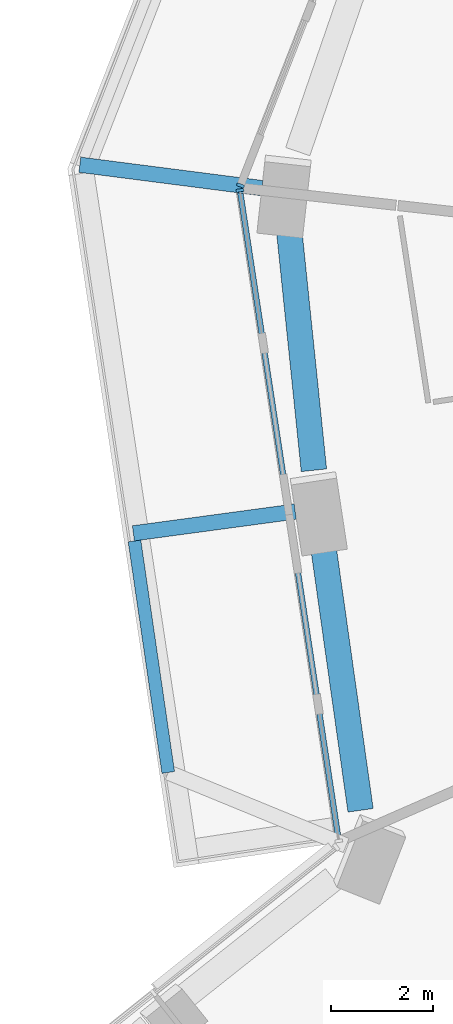
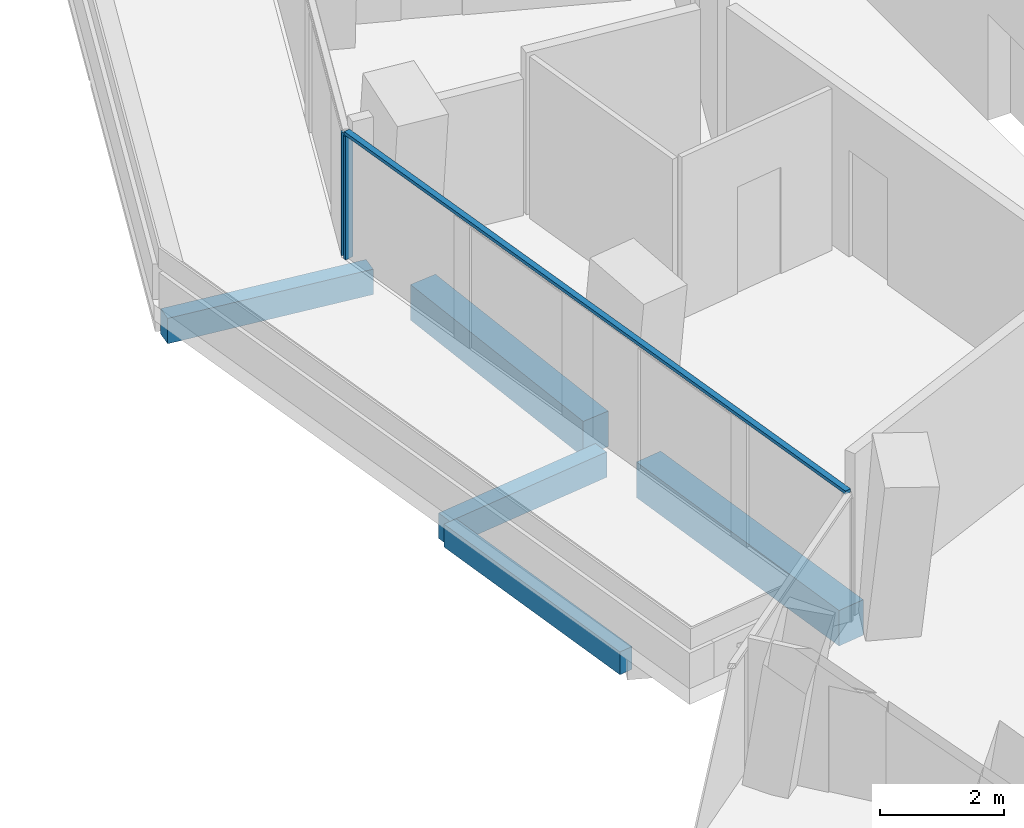
# One storey, part 4 of 28: 5 beams, 3 members, 2 elements without a shape of their own.
"""IFC4 building model written with IfcOpenShell, lengths in metres."""

from ifc_helpers import new_model, si_unit, direction, frame, origin, origin_2d, place, context, subcontext, project, spatial, rectangle, extrude, material, layer, layer_set, material_profile, profile_set, type_object, element, aggregate, save


model = new_model("IFC4")

# Units and contexts
model_context = context("Model", 3, precision=1e-05, world=origin(), true_north=direction((0.0, 1.0)))
body_context = subcontext(model_context, "Body", "Model", "MODEL_VIEW")
ifc_project = project(units=[si_unit("LENGTHUNIT", "METRE"), si_unit("AREAUNIT", "SQUARE_METRE"), si_unit("VOLUMEUNIT", "CUBIC_METRE"), si_unit("PLANEANGLEUNIT", "RADIAN"), si_unit("MASSUNIT", "GRAM", prefix="KILO")], contexts=[model_context])

# Site, building, storey
site_placement = place(None, origin())
site = spatial("IfcSite", under=ifc_project, at=site_placement, CompositionType="ELEMENT")
building_placement = place(site_placement, origin())
building = spatial("IfcBuilding", under=site, at=building_placement, Name="Verdalira Terraces Hotel", CompositionType="ELEMENT")
storey_placement = place(building_placement, frame((0.0, 0.0, 68.0)))
storey = spatial("IfcBuildingStorey", under=building, at=storey_placement, Name="L15", CompositionType="ELEMENT", Elevation=68.0)

# Beams
ifc_material_1 = material(Name="Concrete C40", Category="concrete")
ifc_material_profile_1 = material_profile(ifc_material_1, rectangle(XDim=0.300049, YDim=0.5, at=origin_2d()), Name="RC 300X500")
ifc_profile_set_1 = profile_set([ifc_material_profile_1], Name="Concrete C40")
beam_type_1 = type_object("IfcBeamType", Name="Balcony cantilever beam RC 300X500 C40", PredefinedType="BEAM", material=ifc_profile_set_1)
beam_1_placement = place(storey_placement, frame((-23.791504, -3.572021, -0.560059), z_axis=(-0.991029602, -0.133642539, 0.0), x_axis=(0.133642539, -0.991029602, 0.0)))
element("IfcBeam", 1, at=beam_1_placement, inside=storey, type_object=beam_type_1, Name="Balcony cantilever beam R12-1", PredefinedType="BEAM", context=body_context, shape_type="SweptSolid", body=[
    extrude(rectangle(XDim=0.300049, YDim=0.5, at=origin_2d()), origin(), (0.0, 0.0, 1.0), 3.200684),
])
beam_2_placement = place(storey_placement, frame((-24.44458, 2.768311, -0.560059), z_axis=(-0.991847174, 0.127433057, 0.0), x_axis=(-0.127433057, -0.991847174, 0.0)))
element("IfcBeam", 2, at=beam_2_placement, inside=storey, type_object=beam_type_1, Name="Balcony cantilever beam R12-5", PredefinedType="BEAM", context=body_context, shape_type="SweptSolid", body=[
    extrude(rectangle(XDim=0.300049, YDim=0.5, at=origin_2d()), origin(), (0.0, 0.0, 1.0), 3.5979),
])
ifc_material_2 = material(Name="Concrete C40", Category="concrete")
ifc_material_profile_2 = material_profile(ifc_material_2, rectangle(XDim=0.25, YDim=0.449951, at=origin_2d()), Name="RC 250X450")
ifc_profile_set_2 = profile_set([ifc_material_profile_2], Name="Concrete C40")
beam_type_2 = type_object("IfcBeamType", Name="Balcony edge beam RC 250X450 C40", PredefinedType="BEAM", material=ifc_profile_set_2)
beam_3_placement = place(storey_placement, frame((-26.941895, -4.148193, -0.534912), z_axis=(0.144297121, -0.989534406, 0.0), x_axis=(0.989534406, 0.144297121, 0.0)))
element("IfcBeam", 3, at=beam_3_placement, inside=storey, type_object=beam_type_2, Name="Balcony edge beam R12-1", PredefinedType="BEAM", context=body_context, shape_type="SweptSolid", body=[
    extrude(rectangle(XDim=0.25, YDim=0.449951, at=origin_2d()), origin(), (0.0, 0.0, 1.0), 4.586914),
])

# Curtain wall, member
ifc_material_3 = material(Name="Clear glass", Category="glass")
ifc_layer = layer(ifc_material_3, 0.14990234375)
ifc_layer_set = layer_set([ifc_layer], Name="CW1 curtain wall")
curtain_wall_type = type_object("IfcCurtainWallType", Name="CW1 curtain wall", PredefinedType="NOTDEFINED", material=ifc_layer_set)
curtain_wall_1_placement = place(storey_placement, origin())
curtain_wall_1 = element("IfcCurtainWall", 4, at=curtain_wall_1_placement, inside=storey, type_object=curtain_wall_type, Name="CW1 curtain wall L15 edge 12", PredefinedType="NOTDEFINED")
ifc_material_4 = material(Name="Terracotta frame", Category="masonry")
ifc_material_profile_3 = material_profile(ifc_material_4, rectangle(XDim=0.060059, YDim=0.149902, at=origin_2d()), Name="MU 60x150")
ifc_profile_set_3 = profile_set([ifc_material_profile_3], Name="Terracotta frame")
member_type_1 = type_object("IfcMemberType", Name="CW1 mullion 60x150", PredefinedType="MULLION", material=ifc_profile_set_3)
member_1_placement = place(storey_placement, frame((-24.864014, 2.820068, 0.0), z_axis=(0.0, 0.0, 1.0), x_axis=(-0.364226696, -0.931310321, 0.0)))
member_1 = element("IfcMember", 5, at=member_1_placement, type_object=member_type_1, Name="CW1 mullion", PredefinedType="MULLION", context=body_context, shape_type="SweptSolid", body=[
    extrude(rectangle(XDim=0.060059, YDim=0.149902, at=origin_2d()), origin(), (0.0, 0.0, 1.0), 2.425049),
])
aggregate(curtain_wall_1, [member_1])

# Curtain wall, members
curtain_wall_2_placement = place(storey_placement, origin())
curtain_wall_2 = element("IfcCurtainWall", 6, at=curtain_wall_2_placement, inside=storey, type_object=curtain_wall_type, Name="CW1 curtain wall L15 edge 13", PredefinedType="NOTDEFINED")
member_2_placement = place(storey_placement, frame((-24.874756, 2.723877, 0.0), z_axis=(0.0, 0.0, 1.0), x_axis=(0.150225589, -0.988651745, 0.0)))
member_2 = element("IfcMember", 7, at=member_2_placement, type_object=member_type_1, Name="CW1 mullion", PredefinedType="MULLION", context=body_context, shape_type="SweptSolid", body=[
    extrude(rectangle(XDim=0.060059, YDim=0.149902, at=origin_2d()), origin(), (0.0, 0.0, 1.0), 2.425049),
])
ifc_material_5 = material(Name="Terracotta frame", Category="masonry")
ifc_material_profile_4 = material_profile(ifc_material_5, rectangle(XDim=0.110107, YDim=0.064941, at=origin_2d()), Name="TR 65x110")
ifc_profile_set_4 = profile_set([ifc_material_profile_4], Name="Terracotta frame")
member_type_2 = type_object("IfcMemberType", Name="CW1 transom 65x110", PredefinedType="USERDEFINED", material=ifc_profile_set_4)
member_3_placement = place(storey_placement, frame((-24.879395, 2.753662, 2.45752), z_axis=(0.15023506, -0.988650306, 0.0), x_axis=(0.988650306, 0.15023506, 0.0)))
member_3 = element("IfcMember", 8, at=member_3_placement, type_object=member_type_2, Name="CW1 transom", ObjectType="TRANSOM", PredefinedType="USERDEFINED", context=body_context, shape_type="SweptSolid", body=[
    extrude(rectangle(XDim=0.110107, YDim=0.064941, at=origin_2d()), origin(), (0.0, 0.0, 1.0), 12.959717),
])
aggregate(curtain_wall_2, [member_2, member_3])

# Beams
ifc_material_6 = material(Name="Concrete C70", Category="concrete")
ifc_material_profile_5 = material_profile(ifc_material_6, rectangle(XDim=0.5, YDim=0.699951, at=origin_2d()), Name="RC 500X700")
ifc_profile_set_5 = profile_set([ifc_material_profile_5], Name="Concrete C70")
beam_type_3 = type_object("IfcBeamType", Name="Spandrel beam RC 500X700 C70", PredefinedType="SPANDREL", material=ifc_profile_set_5)
beam_4_placement = place(storey_placement, frame((-23.913086, 1.970947, -0.659912), z_axis=(0.102708363, -0.994711512, 0.0), x_axis=(0.994711512, 0.102708363, 0.0)))
element("IfcBeam", 9, at=beam_4_placement, inside=storey, type_object=beam_type_3, Name="Spandrel beam B12", PredefinedType="SPANDREL", context=body_context, shape_type="SweptSolid", body=[
    extrude(rectangle(XDim=0.5, YDim=0.699951, at=origin_2d()), origin(), (0.0, 0.0, 1.0), 4.758789),
])
beam_5_placement = place(storey_placement, frame((-23.252686, -4.168701, -0.659912), z_axis=(0.139851241, -0.990172526, 0.0), x_axis=(0.990172526, 0.139851241, 0.0)))
element("IfcBeam", 10, at=beam_5_placement, inside=storey, type_object=beam_type_3, Name="Spandrel beam B13", PredefinedType="SPANDREL", context=body_context, shape_type="SweptSolid", body=[
    extrude(rectangle(XDim=0.5, YDim=0.699951, at=origin_2d()), origin(), (0.0, 0.0, 1.0), 5.312256),
])

save(model, "model.ifc")
